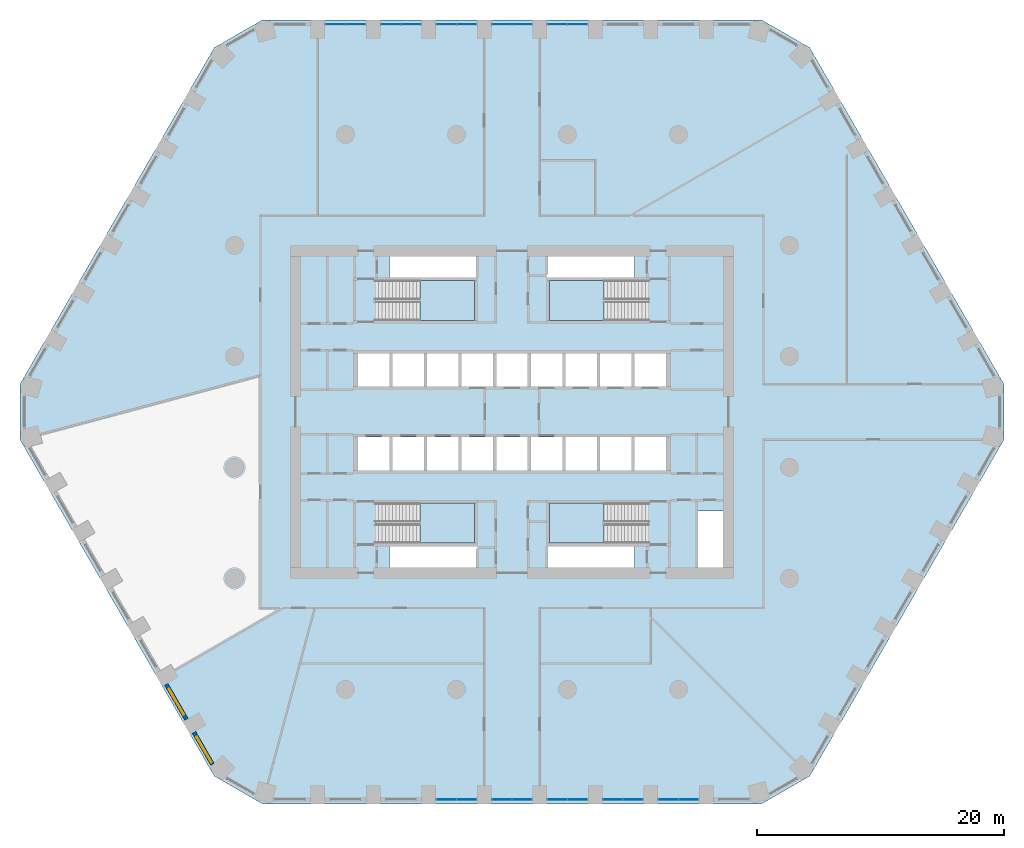
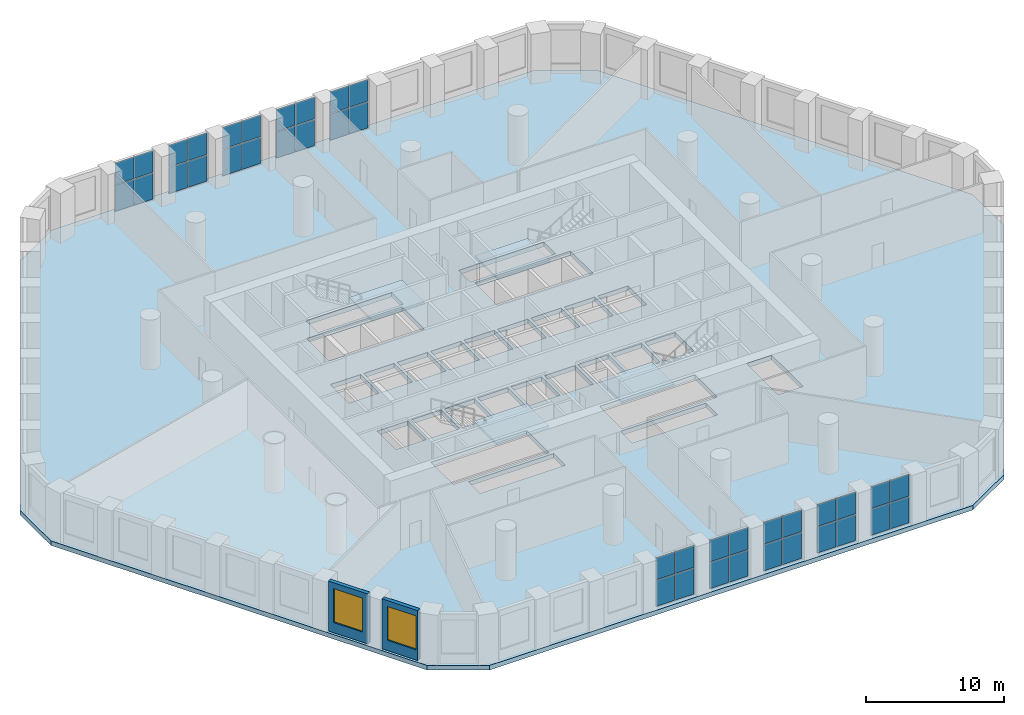
# One storey, part 4 of 13: 40 plates, 5 slabs, 2 walls, 2 windows, 2 openings, 14 elements without a shape of their own.
"""IFC4 building model written with IfcOpenShell, lengths in metres."""

from ifc_helpers import new_model, si_unit, direction, frame, frame_2d, origin, origin_2d, place, context, subcontext, project, spatial, polyline, rectangle, outline, extrude, material, layer, layer_set, type_object, element, fill, aggregate, save


model = new_model("IFC4")

# Units and contexts
model_context = context("Model", 3, precision=1e-05, world=origin(), true_north=direction((0.0, 1.0)))
body_context = subcontext(model_context, "Body", "Model", "MODEL_VIEW")
ifc_project = project(units=[si_unit("LENGTHUNIT", "METRE"), si_unit("AREAUNIT", "SQUARE_METRE"), si_unit("VOLUMEUNIT", "CUBIC_METRE"), si_unit("PLANEANGLEUNIT", "RADIAN"), si_unit("MASSUNIT", "GRAM", prefix="KILO")], contexts=[model_context])

# Site, building, storey
site_placement = place(None, origin())
site = spatial("IfcSite", under=ifc_project, at=site_placement, CompositionType="ELEMENT")
building_placement = place(site_placement, origin())
building = spatial("IfcBuilding", under=site, at=building_placement, Name="Dhurran Vertical Campus", CompositionType="ELEMENT")
storey_placement = place(building_placement, frame((0.0, 0.0, 25.199951171875)))
storey = spatial("IfcBuildingStorey", under=building, at=storey_placement, Name="L05", CompositionType="ELEMENT", Elevation=25.199951171875)

# Slab
ifc_material_1 = material(Name="Concrete C40/50", Category="concrete")
ifc_layer_1 = layer(ifc_material_1, 0.39990234375)
ifc_layer_set_1 = layer_set([ifc_layer_1], Name="Concrete C40/50")
slab_type_1 = type_object("IfcSlabType", Name="FR POST-TENSIONED FLAT SLAB 400", PredefinedType="FLOOR", material=ifc_layer_set_1)
slab_1_placement = place(storey_placement, frame((0.0, 0.0, -0.39990234375)))
element("IfcSlab", 1, at=slab_1_placement, inside=storey, type_object=slab_type_1, Name="Floor slab L05", PredefinedType="FLOOR", context=body_context, shape_type="SweptSolid", body=[
    extrude(outline(polyline([(-20.25, -31.77978515625), (20.25, -31.77978515625), (24.147216796875, -29.52978515625), (39.897216796875, -2.25), (39.897216796875, 2.25), (24.147216796875, 29.52978515625), (20.25, 31.77978515625), (-20.25, 31.77978515625), (-24.147216796875, 29.52978515625), (-39.897216796875, 2.25), (-39.897216796875, -2.25), (-24.147216796875, -29.52978515625), (-20.25, -31.77978515625)]), holes=[polyline([(-12.47509765625, 2.050048828125), (-9.925048828125, 2.050048828125), (-9.925048828125, 4.75), (-12.47509765625, 4.75), (-12.47509765625, 2.050048828125)]), polyline([(-9.675048828125, 2.050048828125), (-7.125, 2.050048828125), (-7.125, 4.75), (-9.675048828125, 4.75), (-9.675048828125, 2.050048828125)]), polyline([(-6.875, 2.050048828125), (-4.324951171875, 2.050048828125), (-4.324951171875, 4.75), (-6.875, 4.75), (-6.875, 2.050048828125)]), polyline([(-1.27490234375, 2.050048828125), (1.27490234375, 2.050048828125), (1.27490234375, 4.75), (-1.27490234375, 4.75), (-1.27490234375, 2.050048828125)]), polyline([(9.925048828125, 2.050048828125), (12.47509765625, 2.050048828125), (12.47509765625, 4.75), (9.925048828125, 4.75), (9.925048828125, 2.050048828125)]), polyline([(-1.27490234375, -4.75), (1.27490234375, -4.75), (1.27490234375, -2.050048828125), (-1.27490234375, -2.050048828125), (-1.27490234375, -4.75)]), polyline([(1.52490234375, -4.75), (4.074951171875, -4.75), (4.074951171875, -2.050048828125), (1.52490234375, -2.050048828125), (1.52490234375, -4.75)]), polyline([(4.324951171875, -4.75), (6.875, -4.75), (6.875, -2.050048828125), (4.324951171875, -2.050048828125), (4.324951171875, -4.75)]), polyline([(7.125, -4.75), (9.675048828125, -4.75), (9.675048828125, -2.050048828125), (7.125, -2.050048828125), (7.125, -4.75)]), polyline([(9.925048828125, -4.75), (12.47509765625, -4.75), (12.47509765625, -2.050048828125), (9.925048828125, -2.050048828125), (9.925048828125, -4.75)]), polyline([(-4.074951171875, 2.050048828125), (-1.52490234375, 2.050048828125), (-1.52490234375, 4.75), (-4.074951171875, 4.75), (-4.074951171875, 2.050048828125)]), polyline([(1.52490234375, 2.050048828125), (4.074951171875, 2.050048828125), (4.074951171875, 4.75), (1.52490234375, 4.75), (1.52490234375, 2.050048828125)]), polyline([(4.324951171875, 2.050048828125), (6.875, 2.050048828125), (6.875, 4.75), (4.324951171875, 4.75), (4.324951171875, 2.050048828125)]), polyline([(7.125, 2.050048828125), (9.675048828125, 2.050048828125), (9.675048828125, 4.75), (7.125, 4.75), (7.125, 2.050048828125)]), polyline([(-12.47509765625, -4.75), (-9.925048828125, -4.75), (-9.925048828125, -2.050048828125), (-12.47509765625, -2.050048828125), (-12.47509765625, -4.75)]), polyline([(-9.675048828125, -4.75), (-7.125, -4.75), (-7.125, -2.050048828125), (-9.675048828125, -2.050048828125), (-9.675048828125, -4.75)]), polyline([(-6.875, -4.75), (-4.324951171875, -4.75), (-4.324951171875, -2.050048828125), (-6.875, -2.050048828125), (-6.875, -4.75)]), polyline([(-4.074951171875, -4.75), (-1.52490234375, -4.75), (-1.52490234375, -2.050048828125), (-4.074951171875, -2.050048828125), (-4.074951171875, -4.75)]), polyline([(-11.050048828125, 7.39990234375), (-3.050048828125, 7.39990234375), (-3.050048828125, 10.64990234375), (-11.050048828125, 10.64990234375), (-11.050048828125, 7.39990234375)]), polyline([(3.050048828125, 7.39990234375), (11.050048828125, 7.39990234375), (11.050048828125, 10.64990234375), (3.050048828125, 10.64990234375), (3.050048828125, 7.39990234375)]), polyline([(-11.050048828125, -10.64990234375), (-3.050048828125, -10.64990234375), (-3.050048828125, -7.39990234375), (-11.050048828125, -7.39990234375), (-11.050048828125, -10.64990234375)]), polyline([(3.050048828125, -10.64990234375), (11.050048828125, -10.64990234375), (11.050048828125, -7.39990234375), (3.050048828125, -7.39990234375), (3.050048828125, -10.64990234375)]), polyline([(-9.949951171875, 10.89990234375), (-9.949951171875, 12.60009765625), (-2.800048828125, 12.60009765625), (-2.800048828125, 10.89990234375), (-9.949951171875, 10.89990234375)]), polyline([(9.949951171875, 12.60009765625), (9.949951171875, 10.89990234375), (2.800048828125, 10.89990234375), (2.800048828125, 12.60009765625), (9.949951171875, 12.60009765625)]), polyline([(-9.949951171875, -12.60009765625), (-9.949951171875, -10.89990234375), (-2.800048828125, -10.89990234375), (-2.800048828125, -12.60009765625), (-9.949951171875, -12.60009765625)]), polyline([(9.949951171875, -10.89990234375), (9.949951171875, -12.60009765625), (2.800048828125, -12.60009765625), (2.800048828125, -10.89990234375), (9.949951171875, -10.89990234375)]), polyline([(15.0, -8.050048828125), (17.10009765625, -8.050048828125), (17.10009765625, -12.60009765625), (15.0, -12.60009765625), (15.0, -8.050048828125)])]), origin(), (0.0, 0.0, 1.0), 0.39990234375),
])

# Curtain wall, plates
ifc_material_2 = material(Name="Aluminium frame with solar-control glass", Category="aluminium")
ifc_layer_2 = layer(ifc_material_2, 0.25)
ifc_layer_set_2 = layer_set([ifc_layer_2], Name="Aluminium frame with solar-control glass")
curtain_wall_type = type_object("IfcCurtainWallType", Name="Library atrium glazing system", PredefinedType="NOTDEFINED", material=ifc_layer_set_2)
curtain_wall_1_placement = place(storey_placement, origin())
curtain_wall_1 = element("IfcCurtainWall", 2, at=curtain_wall_1_placement, inside=storey, type_object=curtain_wall_type, Name="CW2 L05.03", PredefinedType="NOTDEFINED")
ifc_material_3 = material(Name="Clear solar-control glass", Category="glass")
ifc_layer_3 = layer(ifc_material_3, 0.028076171875)
ifc_layer_set_3 = layer_set([ifc_layer_3], Name="Clear solar-control glass")
plate_type = type_object("IfcPlateType", Name="Library atrium glazing system panel", PredefinedType="CURTAIN_PANEL", material=ifc_layer_set_3)
plate_1_placement = place(storey_placement, frame((-5.309814453125, -31.4296875, 0.06005859375), z_axis=(0.0, 0.0, 1.0), x_axis=(1.0, 0.0, 0.0)))
plate_1 = element("IfcPlate", 3, at=plate_1_placement, type_object=plate_type, Name="CW2 panel 1.1", PredefinedType="CURTAIN_PANEL", context=body_context, shape_type="SweptSolid", body=[
    extrude(rectangle(XDim=1.5595703125, YDim=0.028076171875, at=origin_2d()), origin(), (0.0, 0.0, 1.0), 2.31005859375),
])
plate_2_placement = place(storey_placement, frame((-5.309814453125, -31.4296875, 2.429931640625), z_axis=(0.0, 0.0, 1.0), x_axis=(1.0, 0.0, 0.0)))
plate_2 = element("IfcPlate", 4, at=plate_2_placement, type_object=plate_type, Name="CW2 panel 1.2", PredefinedType="CURTAIN_PANEL", context=body_context, shape_type="SweptSolid", body=[
    extrude(rectangle(XDim=1.5595703125, YDim=0.028076171875, at=origin_2d()), origin(), (0.0, 0.0, 1.0), 1.93505859375),
])
plate_3_placement = place(storey_placement, frame((-3.690185546875, -31.4296875, 0.06005859375), z_axis=(0.0, 0.0, 1.0), x_axis=(1.0, 0.0, 0.0)))
plate_3 = element("IfcPlate", 5, at=plate_3_placement, type_object=plate_type, Name="CW2 panel 2.1", PredefinedType="CURTAIN_PANEL", context=body_context, shape_type="SweptSolid", body=[
    extrude(rectangle(XDim=1.5595703125, YDim=0.028076171875, at=origin_2d()), origin(), (0.0, 0.0, 1.0), 2.31005859375),
])
plate_4_placement = place(storey_placement, frame((-3.690185546875, -31.4296875, 2.429931640625), z_axis=(0.0, 0.0, 1.0), x_axis=(1.0, 0.0, 0.0)))
plate_4 = element("IfcPlate", 6, at=plate_4_placement, type_object=plate_type, Name="CW2 panel 2.2", PredefinedType="CURTAIN_PANEL", context=body_context, shape_type="SweptSolid", body=[
    extrude(rectangle(XDim=1.5595703125, YDim=0.028076171875, at=origin_2d()), origin(), (0.0, 0.0, 1.0), 1.93505859375),
])
aggregate(curtain_wall_1, [plate_1, plate_2, plate_3, plate_4])

curtain_wall_2_placement = place(storey_placement, origin())
curtain_wall_2 = element("IfcCurtainWall", 7, at=curtain_wall_2_placement, inside=storey, type_object=curtain_wall_type, Name="CW2 L05.04", PredefinedType="NOTDEFINED")
plate_5_placement = place(storey_placement, frame((-0.809814453125, -31.4296875, 0.06005859375), z_axis=(0.0, 0.0, 1.0), x_axis=(1.0, 0.0, 0.0)))
plate_5 = element("IfcPlate", 8, at=plate_5_placement, type_object=plate_type, Name="CW2 panel 1.1", PredefinedType="CURTAIN_PANEL", context=body_context, shape_type="SweptSolid", body=[
    extrude(rectangle(XDim=1.5595703125, YDim=0.028076171875, at=origin_2d()), origin(), (0.0, 0.0, 1.0), 2.31005859375),
])
plate_6_placement = place(storey_placement, frame((-0.809814453125, -31.4296875, 2.429931640625), z_axis=(0.0, 0.0, 1.0), x_axis=(1.0, 0.0, 0.0)))
plate_6 = element("IfcPlate", 9, at=plate_6_placement, type_object=plate_type, Name="CW2 panel 1.2", PredefinedType="CURTAIN_PANEL", context=body_context, shape_type="SweptSolid", body=[
    extrude(rectangle(XDim=1.5595703125, YDim=0.028076171875, at=origin_2d()), origin(), (0.0, 0.0, 1.0), 1.93505859375),
])
plate_7_placement = place(storey_placement, frame((0.809814453125, -31.4296875, 0.06005859375), z_axis=(0.0, 0.0, 1.0), x_axis=(1.0, 0.0, 0.0)))
plate_7 = element("IfcPlate", 10, at=plate_7_placement, type_object=plate_type, Name="CW2 panel 2.1", PredefinedType="CURTAIN_PANEL", context=body_context, shape_type="SweptSolid", body=[
    extrude(rectangle(XDim=1.5595703125, YDim=0.028076171875, at=origin_2d()), origin(), (0.0, 0.0, 1.0), 2.31005859375),
])
plate_8_placement = place(storey_placement, frame((0.809814453125, -31.4296875, 2.429931640625), z_axis=(0.0, 0.0, 1.0), x_axis=(1.0, 0.0, 0.0)))
plate_8 = element("IfcPlate", 11, at=plate_8_placement, type_object=plate_type, Name="CW2 panel 2.2", PredefinedType="CURTAIN_PANEL", context=body_context, shape_type="SweptSolid", body=[
    extrude(rectangle(XDim=1.5595703125, YDim=0.028076171875, at=origin_2d()), origin(), (0.0, 0.0, 1.0), 1.93505859375),
])
aggregate(curtain_wall_2, [plate_5, plate_6, plate_7, plate_8])

curtain_wall_3_placement = place(storey_placement, origin())
curtain_wall_3 = element("IfcCurtainWall", 12, at=curtain_wall_3_placement, inside=storey, type_object=curtain_wall_type, Name="CW2 L05.05", PredefinedType="NOTDEFINED")
plate_9_placement = place(storey_placement, frame((3.690185546875, -31.4296875, 0.06005859375), z_axis=(0.0, 0.0, 1.0), x_axis=(1.0, 0.0, 0.0)))
plate_9 = element("IfcPlate", 13, at=plate_9_placement, type_object=plate_type, Name="CW2 panel 1.1", PredefinedType="CURTAIN_PANEL", context=body_context, shape_type="SweptSolid", body=[
    extrude(rectangle(XDim=1.5595703125, YDim=0.028076171875, at=origin_2d()), origin(), (0.0, 0.0, 1.0), 2.31005859375),
])
plate_10_placement = place(storey_placement, frame((3.690185546875, -31.4296875, 2.429931640625), z_axis=(0.0, 0.0, 1.0), x_axis=(1.0, 0.0, 0.0)))
plate_10 = element("IfcPlate", 14, at=plate_10_placement, type_object=plate_type, Name="CW2 panel 1.2", PredefinedType="CURTAIN_PANEL", context=body_context, shape_type="SweptSolid", body=[
    extrude(rectangle(XDim=1.5595703125, YDim=0.028076171875, at=origin_2d()), origin(), (0.0, 0.0, 1.0), 1.93505859375),
])
plate_11_placement = place(storey_placement, frame((5.309814453125, -31.4296875, 0.06005859375), z_axis=(0.0, 0.0, 1.0), x_axis=(1.0, 0.0, 0.0)))
plate_11 = element("IfcPlate", 15, at=plate_11_placement, type_object=plate_type, Name="CW2 panel 2.1", PredefinedType="CURTAIN_PANEL", context=body_context, shape_type="SweptSolid", body=[
    extrude(rectangle(XDim=1.5595703125, YDim=0.028076171875, at=origin_2d()), origin(), (0.0, 0.0, 1.0), 2.31005859375),
])
plate_12_placement = place(storey_placement, frame((5.309814453125, -31.4296875, 2.429931640625), z_axis=(0.0, 0.0, 1.0), x_axis=(1.0, 0.0, 0.0)))
plate_12 = element("IfcPlate", 16, at=plate_12_placement, type_object=plate_type, Name="CW2 panel 2.2", PredefinedType="CURTAIN_PANEL", context=body_context, shape_type="SweptSolid", body=[
    extrude(rectangle(XDim=1.5595703125, YDim=0.028076171875, at=origin_2d()), origin(), (0.0, 0.0, 1.0), 1.93505859375),
])
aggregate(curtain_wall_3, [plate_9, plate_10, plate_11, plate_12])

curtain_wall_4_placement = place(storey_placement, origin())
curtain_wall_4 = element("IfcCurtainWall", 17, at=curtain_wall_4_placement, inside=storey, type_object=curtain_wall_type, Name="CW2 L05.06", PredefinedType="NOTDEFINED")
plate_13_placement = place(storey_placement, frame((8.190185546875, -31.4296875, 0.06005859375), z_axis=(0.0, 0.0, 1.0), x_axis=(1.0, 0.0, 0.0)))
plate_13 = element("IfcPlate", 18, at=plate_13_placement, type_object=plate_type, Name="CW2 panel 1.1", PredefinedType="CURTAIN_PANEL", context=body_context, shape_type="SweptSolid", body=[
    extrude(rectangle(XDim=1.5595703125, YDim=0.028076171875, at=origin_2d()), origin(), (0.0, 0.0, 1.0), 2.31005859375),
])
plate_14_placement = place(storey_placement, frame((8.190185546875, -31.4296875, 2.429931640625), z_axis=(0.0, 0.0, 1.0), x_axis=(1.0, 0.0, 0.0)))
plate_14 = element("IfcPlate", 19, at=plate_14_placement, type_object=plate_type, Name="CW2 panel 1.2", PredefinedType="CURTAIN_PANEL", context=body_context, shape_type="SweptSolid", body=[
    extrude(rectangle(XDim=1.5595703125, YDim=0.028076171875, at=origin_2d()), origin(), (0.0, 0.0, 1.0), 1.93505859375),
])
plate_15_placement = place(storey_placement, frame((9.809814453125, -31.4296875, 0.06005859375), z_axis=(0.0, 0.0, 1.0), x_axis=(1.0, 0.0, 0.0)))
plate_15 = element("IfcPlate", 20, at=plate_15_placement, type_object=plate_type, Name="CW2 panel 2.1", PredefinedType="CURTAIN_PANEL", context=body_context, shape_type="SweptSolid", body=[
    extrude(rectangle(XDim=1.5595703125, YDim=0.028076171875, at=origin_2d()), origin(), (0.0, 0.0, 1.0), 2.31005859375),
])
plate_16_placement = place(storey_placement, frame((9.809814453125, -31.4296875, 2.429931640625), z_axis=(0.0, 0.0, 1.0), x_axis=(1.0, 0.0, 0.0)))
plate_16 = element("IfcPlate", 21, at=plate_16_placement, type_object=plate_type, Name="CW2 panel 2.2", PredefinedType="CURTAIN_PANEL", context=body_context, shape_type="SweptSolid", body=[
    extrude(rectangle(XDim=1.5595703125, YDim=0.028076171875, at=origin_2d()), origin(), (0.0, 0.0, 1.0), 1.93505859375),
])
aggregate(curtain_wall_4, [plate_13, plate_14, plate_15, plate_16])

curtain_wall_5_placement = place(storey_placement, origin())
curtain_wall_5 = element("IfcCurtainWall", 22, at=curtain_wall_5_placement, inside=storey, type_object=curtain_wall_type, Name="CW2 L05.07", PredefinedType="NOTDEFINED")
plate_17_placement = place(storey_placement, frame((12.690185546875, -31.4296875, 0.06005859375), z_axis=(0.0, 0.0, 1.0), x_axis=(1.0, 0.0, 0.0)))
plate_17 = element("IfcPlate", 23, at=plate_17_placement, type_object=plate_type, Name="CW2 panel 1.1", PredefinedType="CURTAIN_PANEL", context=body_context, shape_type="SweptSolid", body=[
    extrude(rectangle(XDim=1.5595703125, YDim=0.028076171875, at=origin_2d()), origin(), (0.0, 0.0, 1.0), 2.31005859375),
])
plate_18_placement = place(storey_placement, frame((12.690185546875, -31.4296875, 2.429931640625), z_axis=(0.0, 0.0, 1.0), x_axis=(1.0, 0.0, 0.0)))
plate_18 = element("IfcPlate", 24, at=plate_18_placement, type_object=plate_type, Name="CW2 panel 1.2", PredefinedType="CURTAIN_PANEL", context=body_context, shape_type="SweptSolid", body=[
    extrude(rectangle(XDim=1.5595703125, YDim=0.028076171875, at=origin_2d()), origin(), (0.0, 0.0, 1.0), 1.93505859375),
])
plate_19_placement = place(storey_placement, frame((14.309814453125, -31.4296875, 0.06005859375), z_axis=(0.0, 0.0, 1.0), x_axis=(1.0, 0.0, 0.0)))
plate_19 = element("IfcPlate", 25, at=plate_19_placement, type_object=plate_type, Name="CW2 panel 2.1", PredefinedType="CURTAIN_PANEL", context=body_context, shape_type="SweptSolid", body=[
    extrude(rectangle(XDim=1.5595703125, YDim=0.028076171875, at=origin_2d()), origin(), (0.0, 0.0, 1.0), 2.31005859375),
])
plate_20_placement = place(storey_placement, frame((14.309814453125, -31.4296875, 2.429931640625), z_axis=(0.0, 0.0, 1.0), x_axis=(1.0, 0.0, 0.0)))
plate_20 = element("IfcPlate", 26, at=plate_20_placement, type_object=plate_type, Name="CW2 panel 2.2", PredefinedType="CURTAIN_PANEL", context=body_context, shape_type="SweptSolid", body=[
    extrude(rectangle(XDim=1.5595703125, YDim=0.028076171875, at=origin_2d()), origin(), (0.0, 0.0, 1.0), 1.93505859375),
])
aggregate(curtain_wall_5, [plate_17, plate_18, plate_19, plate_20])

curtain_wall_6_placement = place(storey_placement, origin())
curtain_wall_6 = element("IfcCurtainWall", 27, at=curtain_wall_6_placement, inside=storey, type_object=curtain_wall_type, Name="CW2 L05.29", PredefinedType="NOTDEFINED")
plate_21_placement = place(storey_placement, frame((5.309814453125, 31.4296875, 0.06005859375), z_axis=(0.0, 0.0, 1.0), x_axis=(-1.0, 0.0, 0.0)))
plate_21 = element("IfcPlate", 28, at=plate_21_placement, type_object=plate_type, Name="CW2 panel 1.1", PredefinedType="CURTAIN_PANEL", context=body_context, shape_type="SweptSolid", body=[
    extrude(rectangle(XDim=1.5595703125, YDim=0.028076171875, at=origin_2d()), origin(), (0.0, 0.0, 1.0), 2.31005859375),
])
plate_22_placement = place(storey_placement, frame((5.309814453125, 31.4296875, 2.429931640625), z_axis=(0.0, 0.0, 1.0), x_axis=(-1.0, 0.0, 0.0)))
plate_22 = element("IfcPlate", 29, at=plate_22_placement, type_object=plate_type, Name="CW2 panel 1.2", PredefinedType="CURTAIN_PANEL", context=body_context, shape_type="SweptSolid", body=[
    extrude(rectangle(XDim=1.5595703125, YDim=0.028076171875, at=origin_2d()), origin(), (0.0, 0.0, 1.0), 1.93505859375),
])
plate_23_placement = place(storey_placement, frame((3.690185546875, 31.4296875, 0.06005859375), z_axis=(0.0, 0.0, 1.0), x_axis=(-1.0, 0.0, 0.0)))
plate_23 = element("IfcPlate", 30, at=plate_23_placement, type_object=plate_type, Name="CW2 panel 2.1", PredefinedType="CURTAIN_PANEL", context=body_context, shape_type="SweptSolid", body=[
    extrude(rectangle(XDim=1.5595703125, YDim=0.028076171875, at=origin_2d()), origin(), (0.0, 0.0, 1.0), 2.31005859375),
])
plate_24_placement = place(storey_placement, frame((3.690185546875, 31.4296875, 2.429931640625), z_axis=(0.0, 0.0, 1.0), x_axis=(-1.0, 0.0, 0.0)))
plate_24 = element("IfcPlate", 31, at=plate_24_placement, type_object=plate_type, Name="CW2 panel 2.2", PredefinedType="CURTAIN_PANEL", context=body_context, shape_type="SweptSolid", body=[
    extrude(rectangle(XDim=1.5595703125, YDim=0.028076171875, at=origin_2d()), origin(), (0.0, 0.0, 1.0), 1.93505859375),
])
aggregate(curtain_wall_6, [plate_21, plate_22, plate_23, plate_24])

curtain_wall_7_placement = place(storey_placement, origin())
curtain_wall_7 = element("IfcCurtainWall", 32, at=curtain_wall_7_placement, inside=storey, type_object=curtain_wall_type, Name="CW2 L05.30", PredefinedType="NOTDEFINED")
plate_25_placement = place(storey_placement, frame((0.809814453125, 31.4296875, 0.06005859375), z_axis=(0.0, 0.0, 1.0), x_axis=(-1.0, 0.0, 0.0)))
plate_25 = element("IfcPlate", 33, at=plate_25_placement, type_object=plate_type, Name="CW2 panel 1.1", PredefinedType="CURTAIN_PANEL", context=body_context, shape_type="SweptSolid", body=[
    extrude(rectangle(XDim=1.5595703125, YDim=0.028076171875, at=origin_2d()), origin(), (0.0, 0.0, 1.0), 2.31005859375),
])
plate_26_placement = place(storey_placement, frame((0.809814453125, 31.4296875, 2.429931640625), z_axis=(0.0, 0.0, 1.0), x_axis=(-1.0, 0.0, 0.0)))
plate_26 = element("IfcPlate", 34, at=plate_26_placement, type_object=plate_type, Name="CW2 panel 1.2", PredefinedType="CURTAIN_PANEL", context=body_context, shape_type="SweptSolid", body=[
    extrude(rectangle(XDim=1.5595703125, YDim=0.028076171875, at=origin_2d()), origin(), (0.0, 0.0, 1.0), 1.93505859375),
])
plate_27_placement = place(storey_placement, frame((-0.809814453125, 31.4296875, 0.06005859375), z_axis=(0.0, 0.0, 1.0), x_axis=(-1.0, 0.0, 0.0)))
plate_27 = element("IfcPlate", 35, at=plate_27_placement, type_object=plate_type, Name="CW2 panel 2.1", PredefinedType="CURTAIN_PANEL", context=body_context, shape_type="SweptSolid", body=[
    extrude(rectangle(XDim=1.5595703125, YDim=0.028076171875, at=origin_2d()), origin(), (0.0, 0.0, 1.0), 2.31005859375),
])
plate_28_placement = place(storey_placement, frame((-0.809814453125, 31.4296875, 2.429931640625), z_axis=(0.0, 0.0, 1.0), x_axis=(-1.0, 0.0, 0.0)))
plate_28 = element("IfcPlate", 36, at=plate_28_placement, type_object=plate_type, Name="CW2 panel 2.2", PredefinedType="CURTAIN_PANEL", context=body_context, shape_type="SweptSolid", body=[
    extrude(rectangle(XDim=1.5595703125, YDim=0.028076171875, at=origin_2d()), origin(), (0.0, 0.0, 1.0), 1.93505859375),
])
aggregate(curtain_wall_7, [plate_25, plate_26, plate_27, plate_28])

curtain_wall_8_placement = place(storey_placement, origin())
curtain_wall_8 = element("IfcCurtainWall", 37, at=curtain_wall_8_placement, inside=storey, type_object=curtain_wall_type, Name="CW2 L05.31", PredefinedType="NOTDEFINED")
plate_29_placement = place(storey_placement, frame((-3.690185546875, 31.4296875, 0.06005859375), z_axis=(0.0, 0.0, 1.0), x_axis=(-1.0, 0.0, 0.0)))
plate_29 = element("IfcPlate", 38, at=plate_29_placement, type_object=plate_type, Name="CW2 panel 1.1", PredefinedType="CURTAIN_PANEL", context=body_context, shape_type="SweptSolid", body=[
    extrude(rectangle(XDim=1.5595703125, YDim=0.028076171875, at=origin_2d()), origin(), (0.0, 0.0, 1.0), 2.31005859375),
])
plate_30_placement = place(storey_placement, frame((-3.690185546875, 31.4296875, 2.429931640625), z_axis=(0.0, 0.0, 1.0), x_axis=(-1.0, 0.0, 0.0)))
plate_30 = element("IfcPlate", 39, at=plate_30_placement, type_object=plate_type, Name="CW2 panel 1.2", PredefinedType="CURTAIN_PANEL", context=body_context, shape_type="SweptSolid", body=[
    extrude(rectangle(XDim=1.5595703125, YDim=0.028076171875, at=origin_2d()), origin(), (0.0, 0.0, 1.0), 1.93505859375),
])
plate_31_placement = place(storey_placement, frame((-5.309814453125, 31.4296875, 0.06005859375), z_axis=(0.0, 0.0, 1.0), x_axis=(-1.0, 0.0, 0.0)))
plate_31 = element("IfcPlate", 40, at=plate_31_placement, type_object=plate_type, Name="CW2 panel 2.1", PredefinedType="CURTAIN_PANEL", context=body_context, shape_type="SweptSolid", body=[
    extrude(rectangle(XDim=1.5595703125, YDim=0.028076171875, at=origin_2d()), origin(), (0.0, 0.0, 1.0), 2.31005859375),
])
plate_32_placement = place(storey_placement, frame((-5.309814453125, 31.4296875, 2.429931640625), z_axis=(0.0, 0.0, 1.0), x_axis=(-1.0, 0.0, 0.0)))
plate_32 = element("IfcPlate", 41, at=plate_32_placement, type_object=plate_type, Name="CW2 panel 2.2", PredefinedType="CURTAIN_PANEL", context=body_context, shape_type="SweptSolid", body=[
    extrude(rectangle(XDim=1.5595703125, YDim=0.028076171875, at=origin_2d()), origin(), (0.0, 0.0, 1.0), 1.93505859375),
])
aggregate(curtain_wall_8, [plate_29, plate_30, plate_31, plate_32])

curtain_wall_9_placement = place(storey_placement, origin())
curtain_wall_9 = element("IfcCurtainWall", 42, at=curtain_wall_9_placement, inside=storey, type_object=curtain_wall_type, Name="CW2 L05.32", PredefinedType="NOTDEFINED")
plate_33_placement = place(storey_placement, frame((-8.190185546875, 31.4296875, 0.06005859375), z_axis=(0.0, 0.0, 1.0), x_axis=(-1.0, 0.0, 0.0)))
plate_33 = element("IfcPlate", 43, at=plate_33_placement, type_object=plate_type, Name="CW2 panel 1.1", PredefinedType="CURTAIN_PANEL", context=body_context, shape_type="SweptSolid", body=[
    extrude(rectangle(XDim=1.5595703125, YDim=0.028076171875, at=origin_2d()), origin(), (0.0, 0.0, 1.0), 2.31005859375),
])
plate_34_placement = place(storey_placement, frame((-8.190185546875, 31.4296875, 2.429931640625), z_axis=(0.0, 0.0, 1.0), x_axis=(-1.0, 0.0, 0.0)))
plate_34 = element("IfcPlate", 44, at=plate_34_placement, type_object=plate_type, Name="CW2 panel 1.2", PredefinedType="CURTAIN_PANEL", context=body_context, shape_type="SweptSolid", body=[
    extrude(rectangle(XDim=1.5595703125, YDim=0.028076171875, at=origin_2d()), origin(), (0.0, 0.0, 1.0), 1.93505859375),
])
plate_35_placement = place(storey_placement, frame((-9.809814453125, 31.4296875, 0.06005859375), z_axis=(0.0, 0.0, 1.0), x_axis=(-1.0, 0.0, 0.0)))
plate_35 = element("IfcPlate", 45, at=plate_35_placement, type_object=plate_type, Name="CW2 panel 2.1", PredefinedType="CURTAIN_PANEL", context=body_context, shape_type="SweptSolid", body=[
    extrude(rectangle(XDim=1.5595703125, YDim=0.028076171875, at=origin_2d()), origin(), (0.0, 0.0, 1.0), 2.31005859375),
])
plate_36_placement = place(storey_placement, frame((-9.809814453125, 31.4296875, 2.429931640625), z_axis=(0.0, 0.0, 1.0), x_axis=(-1.0, 0.0, 0.0)))
plate_36 = element("IfcPlate", 46, at=plate_36_placement, type_object=plate_type, Name="CW2 panel 2.2", PredefinedType="CURTAIN_PANEL", context=body_context, shape_type="SweptSolid", body=[
    extrude(rectangle(XDim=1.5595703125, YDim=0.028076171875, at=origin_2d()), origin(), (0.0, 0.0, 1.0), 1.93505859375),
])
aggregate(curtain_wall_9, [plate_33, plate_34, plate_35, plate_36])

curtain_wall_10_placement = place(storey_placement, origin())
curtain_wall_10 = element("IfcCurtainWall", 47, at=curtain_wall_10_placement, inside=storey, type_object=curtain_wall_type, Name="CW2 L05.33", PredefinedType="NOTDEFINED")
plate_37_placement = place(storey_placement, frame((-12.690185546875, 31.4296875, 0.06005859375), z_axis=(0.0, 0.0, 1.0), x_axis=(-1.0, 0.0, 0.0)))
plate_37 = element("IfcPlate", 48, at=plate_37_placement, type_object=plate_type, Name="CW2 panel 1.1", PredefinedType="CURTAIN_PANEL", context=body_context, shape_type="SweptSolid", body=[
    extrude(rectangle(XDim=1.5595703125, YDim=0.028076171875, at=origin_2d()), origin(), (0.0, 0.0, 1.0), 2.31005859375),
])
plate_38_placement = place(storey_placement, frame((-12.690185546875, 31.4296875, 2.429931640625), z_axis=(0.0, 0.0, 1.0), x_axis=(-1.0, 0.0, 0.0)))
plate_38 = element("IfcPlate", 49, at=plate_38_placement, type_object=plate_type, Name="CW2 panel 1.2", PredefinedType="CURTAIN_PANEL", context=body_context, shape_type="SweptSolid", body=[
    extrude(rectangle(XDim=1.5595703125, YDim=0.028076171875, at=origin_2d()), origin(), (0.0, 0.0, 1.0), 1.93505859375),
])
plate_39_placement = place(storey_placement, frame((-14.309814453125, 31.4296875, 0.06005859375), z_axis=(0.0, 0.0, 1.0), x_axis=(-1.0, 0.0, 0.0)))
plate_39 = element("IfcPlate", 50, at=plate_39_placement, type_object=plate_type, Name="CW2 panel 2.1", PredefinedType="CURTAIN_PANEL", context=body_context, shape_type="SweptSolid", body=[
    extrude(rectangle(XDim=1.5595703125, YDim=0.028076171875, at=origin_2d()), origin(), (0.0, 0.0, 1.0), 2.31005859375),
])
plate_40_placement = place(storey_placement, frame((-14.309814453125, 31.4296875, 2.429931640625), z_axis=(0.0, 0.0, 1.0), x_axis=(-1.0, 0.0, 0.0)))
plate_40 = element("IfcPlate", 51, at=plate_40_placement, type_object=plate_type, Name="CW2 panel 2.2", PredefinedType="CURTAIN_PANEL", context=body_context, shape_type="SweptSolid", body=[
    extrude(rectangle(XDim=1.5595703125, YDim=0.028076171875, at=origin_2d()), origin(), (0.0, 0.0, 1.0), 1.93505859375),
])
aggregate(curtain_wall_10, [plate_37, plate_38, plate_39, plate_40])

# Stair, slab
ifc_material_4 = material(Name="Concrete C40/50", Category="concrete")
stair_type = type_object("IfcStairType", Name="co-ST-CORE", PredefinedType="HALF_TURN_STAIR", material=ifc_material_4)
stair_1_placement = place(storey_placement, origin())
stair_1 = element("IfcStair", 52, at=stair_1_placement, inside=storey, type_object=stair_type, Name="L05 Protected exit stair ST1", PredefinedType="HALF_TURN_STAIR")
ifc_material_5 = material(Name="Concrete C40/50", Category="concrete")
ifc_layer_4 = layer(ifc_material_5, 0.199951171875)
ifc_layer_set_4 = layer_set([ifc_layer_4], Name="Concrete C40/50")
slab_type_2 = type_object("IfcSlabType", Name="co-SL-LANDING", PredefinedType="LANDING", material=ifc_layer_set_4)
slab_2_placement = place(storey_placement, frame((0.0, 0.0, 2.199951171875)))
slab_2 = element("IfcSlab", 53, at=slab_2_placement, type_object=slab_type_2, Name="ST1 landing 1", PredefinedType="LANDING", context=body_context, shape_type="SweptSolid", body=[
    extrude(outline(polyline([(-7.4599609375, 7.39990234375), (-3.050048828125, 7.39990234375), (-3.050048828125, 10.64990234375), (-7.4599609375, 10.64990234375), (-7.4599609375, 7.39990234375)])), origin(), (0.0, 0.0, 1.0), 0.2001953125),
])
aggregate(stair_1, [slab_2])

stair_2_placement = place(storey_placement, origin())
stair_2 = element("IfcStair", 54, at=stair_2_placement, inside=storey, type_object=stair_type, Name="L05 Protected exit stair ST2", PredefinedType="HALF_TURN_STAIR")
slab_3_placement = place(storey_placement, frame((0.0, 0.0, 2.199951171875)))
slab_3 = element("IfcSlab", 55, at=slab_3_placement, type_object=slab_type_2, Name="ST2 landing 1", PredefinedType="LANDING", context=body_context, shape_type="SweptSolid", body=[
    extrude(outline(polyline([(7.4599609375, 10.64990234375), (3.050048828125, 10.64990234375), (3.050048828125, 7.39990234375), (7.4599609375, 7.39990234375), (7.4599609375, 10.64990234375)])), origin(), (0.0, 0.0, 1.0), 0.2001953125),
])
aggregate(stair_2, [slab_3])

stair_3_placement = place(storey_placement, origin())
stair_3 = element("IfcStair", 56, at=stair_3_placement, inside=storey, type_object=stair_type, Name="L05 Protected exit stair ST3", PredefinedType="HALF_TURN_STAIR")
slab_4_placement = place(storey_placement, frame((0.0, 0.0, 2.199951171875)))
slab_4 = element("IfcSlab", 57, at=slab_4_placement, type_object=slab_type_2, Name="ST3 landing 1", PredefinedType="LANDING", context=body_context, shape_type="SweptSolid", body=[
    extrude(outline(polyline([(-7.4599609375, -10.64990234375), (-3.050048828125, -10.64990234375), (-3.050048828125, -7.39990234375), (-7.4599609375, -7.39990234375), (-7.4599609375, -10.64990234375)])), origin(), (0.0, 0.0, 1.0), 0.2001953125),
])
aggregate(stair_3, [slab_4])

stair_4_placement = place(storey_placement, origin())
stair_4 = element("IfcStair", 58, at=stair_4_placement, inside=storey, type_object=stair_type, Name="L05 Protected exit stair ST4", PredefinedType="HALF_TURN_STAIR")
slab_5_placement = place(storey_placement, frame((0.0, 0.0, 2.199951171875)))
slab_5 = element("IfcSlab", 59, at=slab_5_placement, type_object=slab_type_2, Name="ST4 landing 1", PredefinedType="LANDING", context=body_context, shape_type="SweptSolid", body=[
    extrude(outline(polyline([(7.4599609375, -7.39990234375), (3.050048828125, -7.39990234375), (3.050048828125, -10.64990234375), (7.4599609375, -10.64990234375), (7.4599609375, -7.39990234375)])), origin(), (0.0, 0.0, 1.0), 0.2001953125),
])
aggregate(stair_4, [slab_5])

# Wall, opening, window
ifc_material_6 = material(Name="Precast concrete C50/60", Category="concrete")
ifc_layer_5 = layer(ifc_material_6, 0.300048828125)
ifc_layer_set_5 = layer_set([ifc_layer_5], Name="Precast concrete C50/60")
wall_type = type_object("IfcWallType", Name="Precast spandrel wall 300", PredefinedType="SOLIDWALL", material=ifc_layer_set_5)
wall_1_placement = place(storey_placement, frame((-28.043701171875, -22.08056640625, 0.0), z_axis=(0.0, 0.0, 1.0), x_axis=(0.499991515992, -0.866030301974, 0.0)))
wall_1 = element("IfcWall", 60, at=wall_1_placement, inside=storey, type_object=wall_type, Name="EW1 L05.49", PredefinedType="SOLIDWALL", context=body_context, shape_type="SweptSolid", body=[
    extrude(rectangle(XDim=3.298828125, YDim=0.300048828125, at=frame_2d((1.6494140625, 0.0))), origin(), (0.0, 0.0, 1.0), 4.425048828125),
])
opening_1_placement = place(wall_1_placement, frame((0.449462890625, 0.0, 0.89990234375)))
opening_1 = element("IfcOpeningElement", 61, at=opening_1_placement, cuts=wall_1, Name="Opening WT2", PredefinedType="OPENING", context=body_context, shape_type="SweptSolid", body=[
    extrude(rectangle(XDim=2.39990234375, YDim=3.0, at=frame_2d((1.199951171875, 1.5))), frame((0.0, 0.159912109375, 0.0), z_axis=(0.0, -1.0, 0.0), x_axis=(1.0, 0.0, 0.0)), (0.0, 0.0, 1.0), 0.320068359375),
])
ifc_material_7 = material(Name="Aluminium frame with solar-control glass", Category="aluminium")
window_type = type_object("IfcWindowType", Name="Podium window 2400 x 3000", PartitioningType="SINGLE_PANEL", PredefinedType="WINDOW", material=ifc_material_7)
window_1_placement = place(opening_1_placement, origin())
window_1 = element("IfcWindow", 62, at=window_1_placement, inside=storey, type_object=window_type, Name="WT2 L05.49", OverallHeight=3.0, OverallWidth=2.39990234375, PartitioningType="SINGLE_PANEL", PredefinedType="WINDOW", context=body_context, shape_type="SweptSolid", body=[
    extrude(rectangle(XDim=2.39990234375, YDim=3.0, at=frame_2d((1.199951171875, 1.5))), frame((0.0, 0.030029296875, 0.0), z_axis=(0.0, -1.0, 0.0), x_axis=(1.0, 0.0, 0.0)), (0.0, 0.0, 1.0), 0.06005859375),
])
fill(opening_1, window_1)

wall_2_placement = place(storey_placement, frame((-25.793701171875, -25.977783203125, 0.0), z_axis=(0.0, 0.0, 1.0), x_axis=(0.49999586137, -0.866027793211, 0.0)))
wall_2 = element("IfcWall", 63, at=wall_2_placement, inside=storey, type_object=wall_type, Name="EW1 L05.50", PredefinedType="SOLIDWALL", context=body_context, shape_type="SweptSolid", body=[
    extrude(rectangle(XDim=2.98876953125, YDim=0.300048828125, at=frame_2d((1.494384765625, 0.0))), origin(), (0.0, 0.0, 1.0), 4.425048828125),
])
opening_2_placement = place(wall_2_placement, frame((0.449462890625, 0.0, 0.89990234375)))
opening_2 = element("IfcOpeningElement", 64, at=opening_2_placement, cuts=wall_2, Name="Opening WT2", PredefinedType="OPENING", context=body_context, shape_type="SweptSolid", body=[
    extrude(rectangle(XDim=2.39990234375, YDim=3.0, at=frame_2d((1.199951171875, 1.5))), frame((0.0, 0.159912109375, 0.0), z_axis=(0.0, -1.0, 0.0), x_axis=(1.0, 0.0, 0.0)), (0.0, 0.0, 1.0), 0.320068359375),
])
window_2_placement = place(opening_2_placement, origin())
window_2 = element("IfcWindow", 65, at=window_2_placement, inside=storey, type_object=window_type, Name="WT2 L05.50", OverallHeight=3.0, OverallWidth=2.39990234375, PartitioningType="SINGLE_PANEL", PredefinedType="WINDOW", context=body_context, shape_type="SweptSolid", body=[
    extrude(rectangle(XDim=2.39990234375, YDim=3.0, at=frame_2d((1.199951171875, 1.5))), frame((0.0, 0.030029296875, 0.0), z_axis=(0.0, -1.0, 0.0), x_axis=(1.0, 0.0, 0.0)), (0.0, 0.0, 1.0), 0.06005859375),
])
fill(opening_2, window_2)

save(model, "model.ifc")
